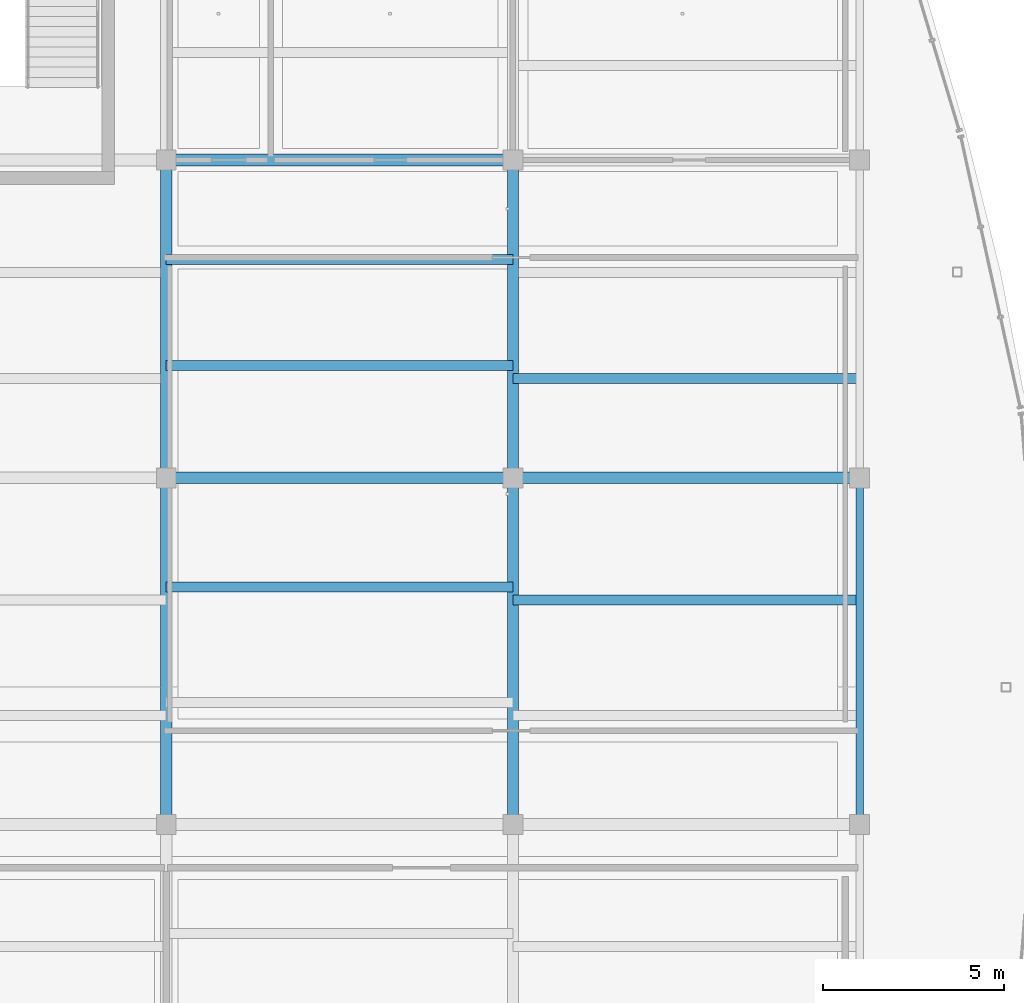
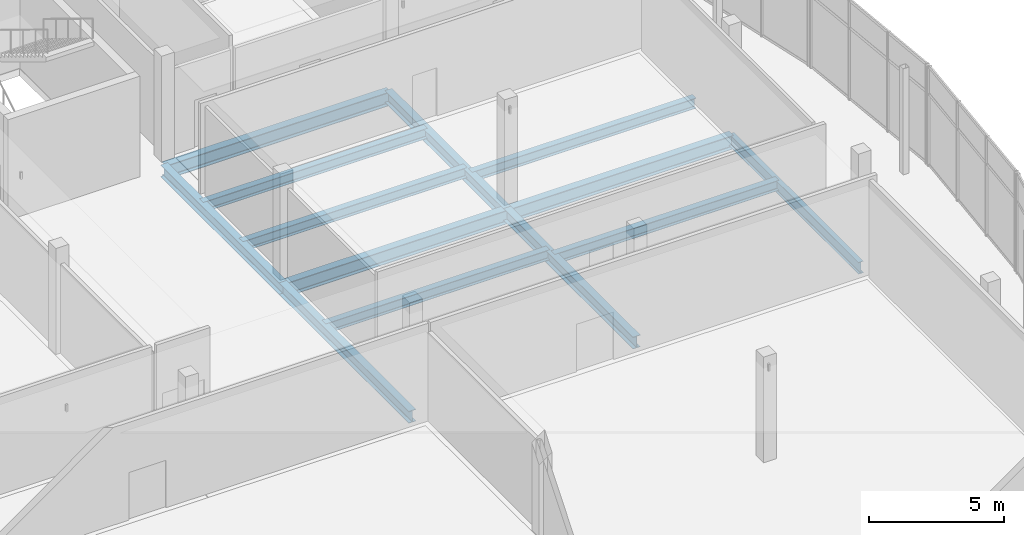
# One storey, part 98 of 157: 13 beams.
"""IFC4 building model written with IfcOpenShell, lengths in metres."""

from ifc_helpers import new_model, si_unit, direction, frame, origin, origin_2d, place, context, subcontext, project, spatial, i_section, extrude, material, material_profile, profile_set, type_object, element, save


model = new_model("IFC4")

# Units and contexts
model_context = context("Model", 3, precision=1e-05, world=origin(), true_north=direction((0.0, 1.0)))
body_context = subcontext(model_context, "Body", "Model", "MODEL_VIEW")
ifc_project = project(units=[si_unit("LENGTHUNIT", "METRE"), si_unit("AREAUNIT", "SQUARE_METRE"), si_unit("VOLUMEUNIT", "CUBIC_METRE"), si_unit("PLANEANGLEUNIT", "RADIAN"), si_unit("MASSUNIT", "GRAM", prefix="KILO")], contexts=[model_context])

# Site, building, storey
site_placement = place(None, origin())
site = spatial("IfcSite", under=ifc_project, at=site_placement, CompositionType="ELEMENT")
building_placement = place(site_placement, origin())
building = spatial("IfcBuilding", under=site, at=building_placement, Name="Chalmorin Arch Market", CompositionType="ELEMENT")
storey_placement = place(building_placement, frame((0.0, 0.0, 4.800048828125)))
storey = spatial("IfcBuildingStorey", under=building, at=storey_placement, Name="L01", CompositionType="ELEMENT", Elevation=4.800048828125)

# Beams
ifc_material = material(Name="Steel A992 Grade 50", Category="steel")
ifc_material_profile_1 = material_profile(ifc_material, i_section(OverallWidth=0.326904296875, OverallDepth=0.6220703125, WebThickness=0.015380859375, FlangeThickness=0.0244140625, FilletRadius=0.02392578125, at=origin_2d()), Name="W24X131")
ifc_profile_set_1 = profile_set([ifc_material_profile_1], Name="Steel A992 Grade 50")
beam_type_1 = type_object("IfcBeamType", Name="HeavyFloorGirder-W24X131", PredefinedType="BEAM", material=ifc_profile_set_1)
for number, where, z_axis, x_axis, name in (
    (1, (96.0, 100.800048828125, -0.633056640625), (1.0, 0.0, 0.0), (0.0, 1.0, 0.0), "BG-W24C-0943"),
    (2, (96.0, 109.60009765625, -0.633056640625), (1.0, 0.0, 0.0), (0.0, 1.0, 0.0), "BG-W24C-0945"),
):
    element("IfcBeam", number, at=place(storey_placement, frame(where, z_axis=z_axis, x_axis=x_axis)), inside=storey, type_object=beam_type_1, Name=name, PredefinedType="BEAM", context=body_context, shape_type="SweptSolid", body=[
        extrude(i_section(OverallWidth=0.326904296875, OverallDepth=0.6220703125, WebThickness=0.015380859375, FlangeThickness=0.0244140625, FilletRadius=0.02392578125, at=origin_2d()), origin(), (0.0, 0.0, 1.0), 9.60009765625),
    ])
beam_1_placement = place(storey_placement, frame((105.60009765625, 100.800048828125, -0.633056640625), z_axis=(1.0, 0.0, 0.0), x_axis=(0.0, 1.0, 0.0)))
element("IfcBeam", 3, at=beam_1_placement, inside=storey, type_object=beam_type_1, Name="BG-W24C-0954", PredefinedType="BEAM", context=body_context, shape_type="SweptSolid", body=[
    extrude(i_section(OverallWidth=0.326904296875, OverallDepth=0.6220703125, WebThickness=0.015380859375, FlangeThickness=0.0244140625, FilletRadius=0.02392578125, at=origin_2d()), origin(), (0.0, 0.0, 1.0), 9.599853515625),
])
ifc_material_profile_2 = material_profile(ifc_material, i_section(OverallWidth=0.31201171875, OverallDepth=0.54296875, WebThickness=0.0126953125, FlangeThickness=0.020263671875, FilletRadius=0.02197265625, at=origin_2d()), Name="W21X101")
ifc_profile_set_2 = profile_set([ifc_material_profile_2], Name="Steel A992 Grade 50")
beam_type_2 = type_object("IfcBeamType", Name="KitchenSteelGirder-W21X101", PredefinedType="BEAM", material=ifc_profile_set_2)
beam_2_placement = place(storey_placement, frame((96.0, 91.199951171875, -0.593505859375), z_axis=(0.0, 1.0, 0.0), x_axis=(-1.0, 0.0, 0.0)))
element("IfcBeam", 4, at=beam_2_placement, inside=storey, type_object=beam_type_2, Name="BG-W21C-0933", PredefinedType="BEAM", context=body_context, shape_type="SweptSolid", body=[
    extrude(i_section(OverallWidth=0.31201171875, OverallDepth=0.54296875, WebThickness=0.0126953125, FlangeThickness=0.020263671875, FilletRadius=0.02197265625, at=origin_2d()), origin(), (0.0, 0.0, 1.0), 9.60009765625),
])
beam_3_placement = place(storey_placement, frame((96.0, 100.800048828125, -0.593505859375), z_axis=(0.0, 1.0, 0.0), x_axis=(-1.0, 0.0, 0.0)))
element("IfcBeam", 5, at=beam_3_placement, inside=storey, type_object=beam_type_2, Name="BG-W21C-0935", PredefinedType="BEAM", context=body_context, shape_type="SweptSolid", body=[
    extrude(i_section(OverallWidth=0.31201171875, OverallDepth=0.54296875, WebThickness=0.0126953125, FlangeThickness=0.020263671875, FilletRadius=0.02197265625, at=origin_2d()), origin(), (0.0, 0.0, 1.0), 8.800048828125),
])
beam_4_placement = place(storey_placement, frame((105.60009765625, 91.199951171875, -0.593505859375), z_axis=(0.0, 1.0, 0.0), x_axis=(-1.0, 0.0, 0.0)))
element("IfcBeam", 6, at=beam_4_placement, inside=storey, type_object=beam_type_2, Name="BG-W21C-0944", PredefinedType="BEAM", context=body_context, shape_type="SweptSolid", body=[
    extrude(i_section(OverallWidth=0.31201171875, OverallDepth=0.54296875, WebThickness=0.0126953125, FlangeThickness=0.020263671875, FilletRadius=0.02197265625, at=origin_2d()), origin(), (0.0, 0.0, 1.0), 9.60009765625),
])
beam_5_placement = place(storey_placement, frame((105.60009765625, 100.800048828125, -0.593505859375), z_axis=(0.0, 1.0, 0.0), x_axis=(-1.0, 0.0, 0.0)))
element("IfcBeam", 7, at=beam_5_placement, inside=storey, type_object=beam_type_2, Name="BG-W21C-0946", PredefinedType="BEAM", context=body_context, shape_type="SweptSolid", body=[
    extrude(i_section(OverallWidth=0.31201171875, OverallDepth=0.54296875, WebThickness=0.0126953125, FlangeThickness=0.020263671875, FilletRadius=0.02197265625, at=origin_2d()), origin(), (0.0, 0.0, 1.0), 8.800048828125),
])
ifc_material_profile_3 = material_profile(ifc_material, i_section(OverallWidth=0.208984375, OverallDepth=0.532958984375, WebThickness=0.01025390625, FlangeThickness=0.015625, FilletRadius=0.02197265625, at=origin_2d()), Name="W21X62")
ifc_profile_set_3 = profile_set([ifc_material_profile_3], Name="Steel A992 Grade 50")
beam_type_3 = type_object("IfcBeamType", Name="PerimeterSpandrelBeam-W21X62", PredefinedType="SPANDREL", material=ifc_profile_set_3)
beam_6_placement = place(storey_placement, frame((115.199951171875, 91.199951171875, -0.588623046875), z_axis=(0.0, 1.0, 0.0), x_axis=(-1.0, 0.0, 0.0)))
element("IfcBeam", 8, at=beam_6_placement, inside=storey, type_object=beam_type_3, Name="SP-W21-0955", PredefinedType="SPANDREL", context=body_context, shape_type="SweptSolid", body=[
    extrude(i_section(OverallWidth=0.208984375, OverallDepth=0.532958984375, WebThickness=0.01025390625, FlangeThickness=0.015625, FilletRadius=0.02197265625, at=origin_2d()), origin(), (0.0, 0.0, 1.0), 9.60009765625),
])
ifc_material_profile_4 = material_profile(ifc_material, i_section(OverallWidth=0.280029296875, OverallDepth=0.462890625, WebThickness=0.0107421875, FlangeThickness=0.017333984375, FilletRadius=0.02001953125, at=origin_2d()), Name="W18X76")
ifc_profile_set_4 = profile_set([ifc_material_profile_4], Name="Steel A992 Grade 50")
beam_type_4 = type_object("IfcBeamType", Name="WorkshopSteelBeam-W18X76", PredefinedType="BEAM", material=ifc_profile_set_4)
for number, where, z_axis, x_axis, name in (
    (9, (96.0, 97.780029296875, -0.553466796875), (1.0, 0.0, 0.0), (0.0, 1.0, 0.0), "BM-W18C-1009"),
    (10, (96.0, 103.913330078125, -0.553466796875), (1.0, 0.0, 0.0), (0.0, 1.0, 0.0), "BM-W18C-1010"),
    (11, (96.0, 106.8466796875, -0.553466796875), (1.0, 0.0, 0.0), (0.0, 1.0, 0.0), "BM-W18C-1011"),
):
    element("IfcBeam", number, at=place(storey_placement, frame(where, z_axis=z_axis, x_axis=x_axis)), inside=storey, type_object=beam_type_4, Name=name, PredefinedType="BEAM", context=body_context, shape_type="SweptSolid", body=[
        extrude(i_section(OverallWidth=0.280029296875, OverallDepth=0.462890625, WebThickness=0.0107421875, FlangeThickness=0.017333984375, FilletRadius=0.02001953125, at=origin_2d()), origin(), (0.0, 0.0, 1.0), 9.60009765625),
    ])
for number, where, z_axis, x_axis, name in (
    (12, (105.60009765625, 97.419921875, -0.553466796875), (1.0, 0.0, 0.0), (0.0, 1.0, 0.0), "BM-W18C-1019"),
    (13, (105.60009765625, 103.55322265625, -0.553466796875), (1.0, 0.0, 0.0), (0.0, 1.0, 0.0), "BM-W18C-1020"),
):
    element("IfcBeam", number, at=place(storey_placement, frame(where, z_axis=z_axis, x_axis=x_axis)), inside=storey, type_object=beam_type_4, Name=name, PredefinedType="BEAM", context=body_context, shape_type="SweptSolid", body=[
        extrude(i_section(OverallWidth=0.280029296875, OverallDepth=0.462890625, WebThickness=0.0107421875, FlangeThickness=0.017333984375, FilletRadius=0.02001953125, at=origin_2d()), origin(), (0.0, 0.0, 1.0), 9.599853515625),
    ])

save(model, "model.ifc")
